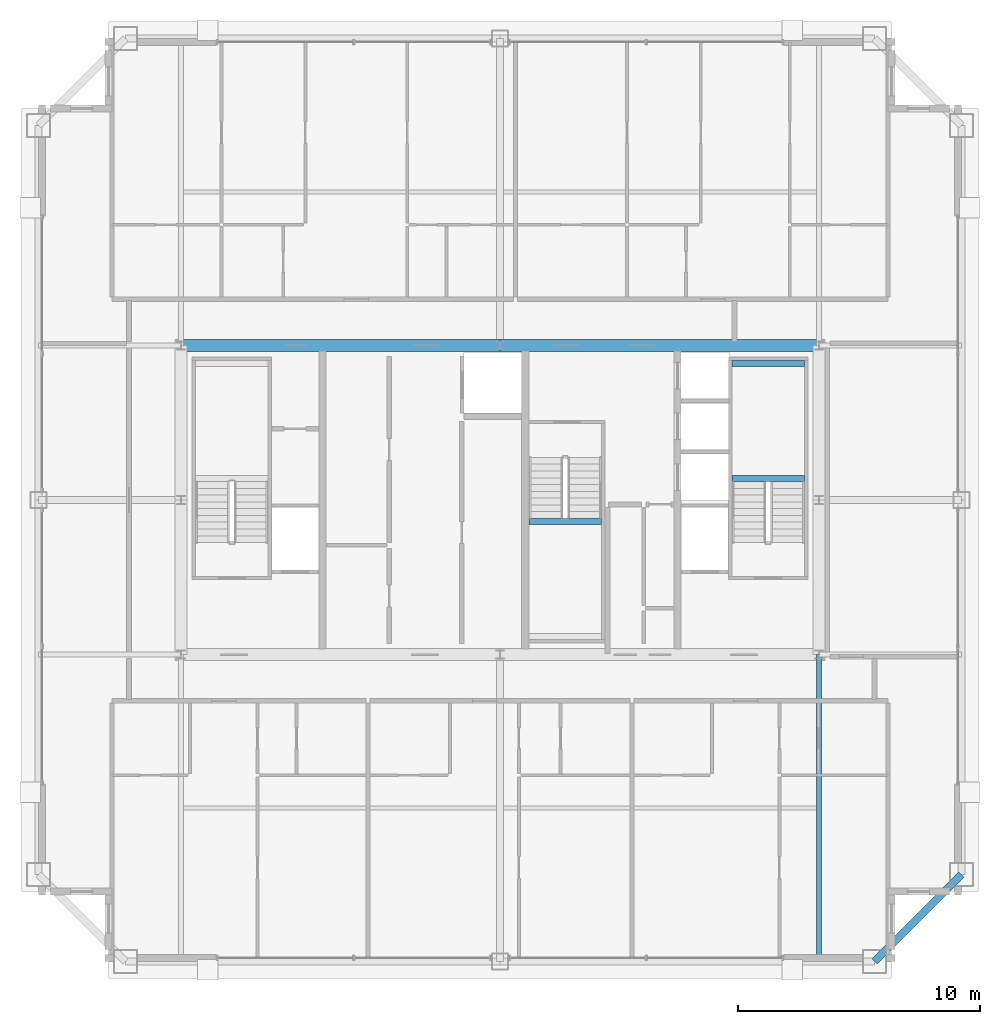
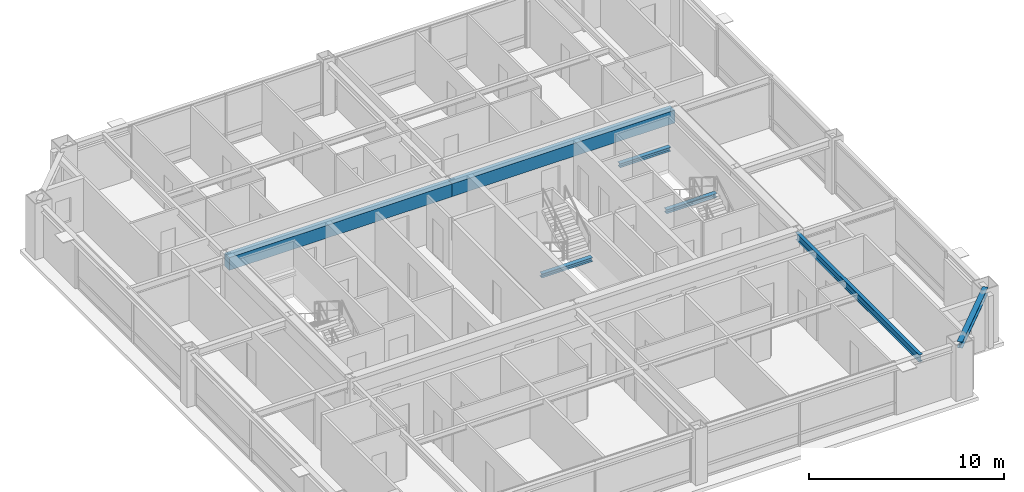
# One storey, part 13 of 35: 7 beams.
"""IFC4 building model written with IfcOpenShell, lengths in metres."""

from ifc_helpers import new_model, si_unit, direction, frame, origin, origin_2d, place, context, subcontext, project, spatial, rectangle, i_section, extrude, source, transform, mapped, material, material_profile, profile_set, type_object, element, save


model = new_model("IFC4")

# Units and contexts
model_context = context("Model", 3, precision=1e-05, world=origin(), true_north=direction((0.0, 1.0)))
body_context = subcontext(model_context, "Body", "Model", "MODEL_VIEW")
ifc_project = project(units=[si_unit("LENGTHUNIT", "METRE"), si_unit("AREAUNIT", "SQUARE_METRE"), si_unit("VOLUMEUNIT", "CUBIC_METRE"), si_unit("PLANEANGLEUNIT", "RADIAN"), si_unit("MASSUNIT", "GRAM", prefix="KILO"), si_unit("THERMODYNAMICTEMPERATUREUNIT", "KELVIN"), si_unit("POWERUNIT", "WATT")], contexts=[model_context])

# Site, building, storey
site_placement = place(None, origin())
site = spatial("IfcSite", under=ifc_project, at=site_placement, CompositionType="ELEMENT")
building_placement = place(site_placement, origin())
building = spatial("IfcBuilding", under=site, at=building_placement, Name="Yuzanri Waterfront Tower", CompositionType="ELEMENT")
storey_placement = place(building_placement, frame((0.0, 0.0, 289.10009765625)))
storey = spatial("IfcBuildingStorey", under=building, at=storey_placement, Name="L77", CompositionType="ELEMENT", Elevation=289.10009765625)

# Beams
ifc_material_1 = material(Name="Concrete C50", Category="concrete")
ifc_material_profile_1 = material_profile(ifc_material_1, rectangle(XDim=0.5, YDim=0.800048828125, at=origin_2d()), Name="RC 500x800")
ifc_profile_set_1 = profile_set([ifc_material_profile_1], Name="Concrete C50")
beam_type_1 = type_object("IfcBeamType", Name="Core Coupling Lintel Concrete C50 500x800", PredefinedType="LINTEL", material=ifc_profile_set_1)
shared_shape_1 = source(origin(), body_context, "Body", "SweptSolid", [
    extrude(rectangle(XDim=0.5, YDim=0.800048828125, at=origin_2d()), origin(), (0.0, 0.0, 1.0), 13.199951171875),
])
for number, where, z_axis, x_axis, name in (
    (1, (23.800048828125, 32.199951171875, 2.8798828125), (1.0, 0.0, 0.0), (0.0, 1.0, 0.0), "L77 Core Tie Beam CN1"),
    (2, (37.0, 32.199951171875, 2.8798828125), (1.0, 0.0, 0.0), (0.0, 1.0, 0.0), "L77 Core Tie Beam CN2"),
):
    element("IfcBeam", number, at=place(storey_placement, frame(where, z_axis=z_axis, x_axis=x_axis)), inside=storey, type_object=beam_type_1, Name=name, PredefinedType="LINTEL", context=body_context, shape_type="MappedRepresentation", body=[
        mapped(shared_shape_1, transform((0.0, 0.0, 0.0), scale=1.0)),
    ])
ifc_material_2 = material(Name="Steel Q355B", Category="steel")
ifc_material_profile_2 = material_profile(ifc_material_2, i_section(OverallWidth=0.300048828125, OverallDepth=0.389892578125, WebThickness=0.010009765625, FlangeThickness=0.01611328125, at=origin_2d()), Name="HM 390x300x10x16")
ifc_profile_set_2 = profile_set([ifc_material_profile_2], Name="Steel Q355B")
beam_type_2 = type_object("IfcBeamType", Name="Perimeter Spandrel Q355B HM 390x300", PredefinedType="SPANDREL", material=ifc_profile_set_2)
shared_shape_2 = source(origin(), body_context, "Body", "SweptSolid", [
    extrude(i_section(OverallWidth=0.300048828125, OverallDepth=0.389892578125, WebThickness=0.010009765625, FlangeThickness=0.01611328125, at=origin_2d()), origin(), (0.0, 0.0, 1.0), 5.09130859375),
])
beam_1_placement = place(storey_placement, frame((52.5, 6.699951171875, 3.0849609375), z_axis=(0.707106781187, 0.707106781187, 0.0), x_axis=(-0.707106781187, 0.707106781187, 0.0)))
element("IfcBeam", 3, at=beam_1_placement, inside=storey, type_object=beam_type_2, Name="L77 Perimeter Spandrel S3-E1", PredefinedType="SPANDREL", context=body_context, shape_type="MappedRepresentation", body=[
    mapped(shared_shape_2, transform((0.0, 0.0, 0.0), scale=1.0)),
])
ifc_material_3 = material(Name="Steel Q355B", Category="steel")
ifc_material_profile_3 = material_profile(ifc_material_3, i_section(OverallWidth=0.199951171875, OverallDepth=0.449951171875, WebThickness=0.009033203125, FlangeThickness=0.013916015625, at=origin_2d()), Name="HN 450x200x9x14")
ifc_profile_set_3 = profile_set([ifc_material_profile_3], Name="Steel Q355B")
beam_type_3 = type_object("IfcBeamType", Name="Secondary Floor Beam Q355B HN 450x200", PredefinedType="BEAM", material=ifc_profile_set_3)
shared_shape_3 = source(origin(), body_context, "Body", "SweptSolid", [
    extrude(i_section(OverallWidth=0.199951171875, OverallDepth=0.449951171875, WebThickness=0.009033203125, FlangeThickness=0.013916015625, at=origin_2d()), origin(), (0.0, 0.0, 1.0), 12.699951171875),
])
beam_2_placement = place(storey_placement, frame((50.199951171875, 19.39990234375, 3.054931640625), z_axis=(0.0, -1.0, 0.0), x_axis=(1.0, 0.0, 0.0)))
element("IfcBeam", 4, at=beam_2_placement, inside=storey, type_object=beam_type_3, Name="L77 South-East Core Line Beam", PredefinedType="BEAM", context=body_context, shape_type="MappedRepresentation", body=[
    mapped(shared_shape_3, transform((0.0, 0.0, 0.0), scale=1.0)),
])
ifc_material_4 = material(Name="Steel Q355B", Category="steel")
ifc_material_profile_4 = material_profile(ifc_material_4, i_section(OverallWidth=0.25, OverallDepth=0.25, WebThickness=0.009033203125, FlangeThickness=0.013916015625, at=origin_2d()), Name="HW 250x250x9x14")
ifc_profile_set_4 = profile_set([ifc_material_profile_4], Name="Steel Q355B")
beam_type_4 = type_object("IfcBeamType", Name="Stair Landing Support Beam Q355B HW 250x250", PredefinedType="BEAM", material=ifc_profile_set_4)
shared_shape_4 = source(origin(), body_context, "Body", "SweptSolid", [
    extrude(i_section(OverallWidth=0.25, OverallDepth=0.25, WebThickness=0.009033203125, FlangeThickness=0.013916015625, at=origin_2d()), origin(), (0.0, 0.0, 1.0), 3.0),
])
for number, where, z_axis, x_axis, name in (
    (5, (46.60009765625, 26.68994140625, 1.4248046875), (1.0, 0.0, 0.0), (0.0, 1.0, 0.0), "L77 Stair Landing Support Beam ST-02-L77-L1-1"),
    (6, (46.60009765625, 31.449951171875, 1.4248046875), (1.0, 0.0, 0.0), (0.0, 1.0, 0.0), "L77 Stair Landing Support Beam ST-02-L77-L1-2"),
    (7, (38.199951171875, 24.909912109375, 1.4248046875), (1.0, 0.0, 0.0), (0.0, 1.0, 0.0), "L77 Stair Landing Support Beam ST-03-L77-L1-2"),
):
    element("IfcBeam", number, at=place(storey_placement, frame(where, z_axis=z_axis, x_axis=x_axis)), inside=storey, type_object=beam_type_4, Name=name, PredefinedType="BEAM", context=body_context, shape_type="MappedRepresentation", body=[
        mapped(shared_shape_4, transform((0.0, 0.0, 0.0), scale=1.0)),
    ])

save(model, "model.ifc")
